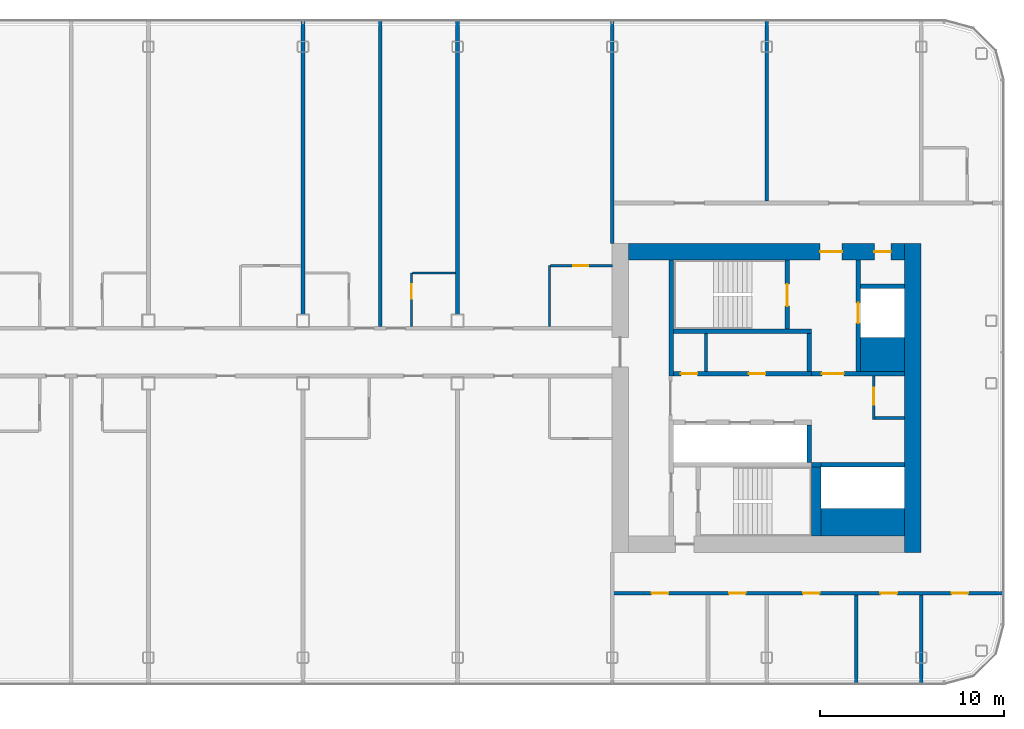
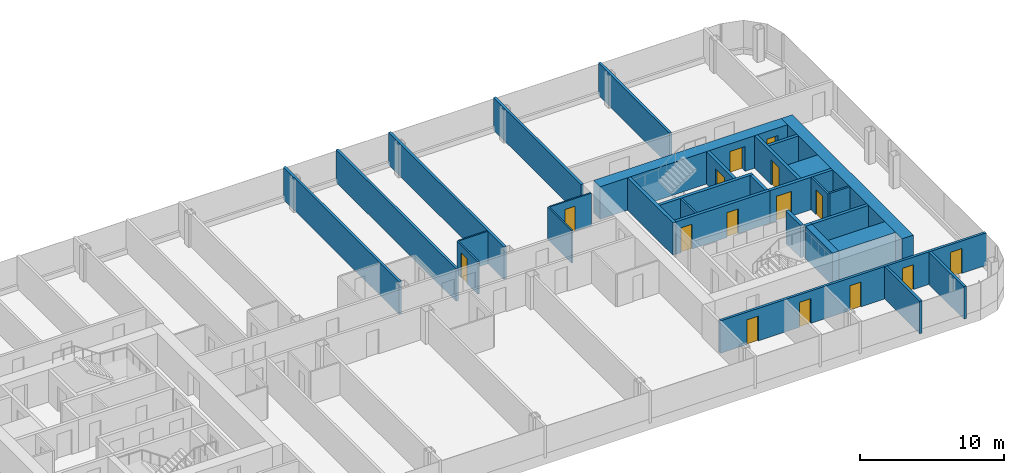
# One storey, part 16 of 26: 31 walls, 15 doors, 15 openings.
"""IFC4 building model written with IfcOpenShell, lengths in metres."""

import ifcopenshell
import ifcopenshell.guid

model = None  # the IFC model being written
_history = None  # IfcOwnerHistory: only IFC2X3 demands one
_inside = {}  # id of a spatial element -> (the spatial element, [elements in it])
_under = {}  # id of a project, library or spatial element -> (it, [spatial elements below it])
_declared = {}  # id of a project -> (the project, [libraries it declares])
_typed = {}  # id of a type object -> (the type object, [elements of that type])
_made_of = {}  # id of a material, layer set ... -> (it, [elements and type objects made of it])


def new_model(schema):
    """Start an empty IFC model of exactly this schema.

    Asked for "IFC4X3", IfcOpenShell would pick the latest addendum, in which some entities
    have other attributes; the version numbers below select the first issue.
    IFC2X3 requires an IfcOwnerHistory on every rooted entity: one is made here for all.
    """
    global model, _history
    if schema == "IFC4X3":
        model = ifcopenshell.file(schema_version=(4, 3, 0, 0))
    else:
        model = ifcopenshell.file(schema=schema)
    _inside.clear()
    _under.clear()
    _declared.clear()
    _typed.clear()
    _made_of.clear()
    _history = None
    if model.schema == "IFC2X3":
        org = make("IfcOrganization", Name="unknown")
        user = make(
            "IfcPersonAndOrganization",
            ThePerson=make("IfcPerson", FamilyName="unknown"),
            TheOrganization=org,
        )
        app = make(
            "IfcApplication",
            ApplicationDeveloper=org,
            Version="unknown",
            ApplicationFullName="unknown",
            ApplicationIdentifier="unknown",
        )
        _history = make(
            "IfcOwnerHistory",
            OwningUser=user,
            OwningApplication=app,
            ChangeAction="ADDED",
            CreationDate=0,
        )
    return model


def make(cls, **values):
    """One entity of the class cls with the attributes given. An attribute that is None is left unset."""
    return model.create_entity(
        cls, **{name: value for name, value in values.items() if value is not None}
    )


def rooted(cls, **values):
    """An entity with a GlobalId (a new one), such as an element, a storey or a relation."""
    return make(cls, GlobalId=ifcopenshell.guid.new(), OwnerHistory=_history, **values)


def si_unit(unit_type, name, prefix=None):
    """IfcSIUnit, for example si_unit("LENGTHUNIT", "METRE", prefix="MILLI")."""
    return make("IfcSIUnit", UnitType=unit_type, Prefix=prefix, Name=name)


def assignment(units):
    """IfcUnitAssignment: the units of a project."""
    return None if units is None else make("IfcUnitAssignment", Units=units)


def point(xyz):
    """IfcCartesianPoint."""
    return None if xyz is None else make("IfcCartesianPoint", Coordinates=xyz)


def direction(xyz):
    """IfcDirection."""
    return None if xyz is None else make("IfcDirection", DirectionRatios=xyz)


def frame(location, z_axis=None, x_axis=None):
    """IfcAxis2Placement3D, a coordinate frame: its origin and axes. An axis left out is left unset."""
    return make(
        "IfcAxis2Placement3D",
        Location=point(location),
        Axis=direction(z_axis),
        RefDirection=direction(x_axis),
    )


def frame_2d(location, x_axis=None):
    """IfcAxis2Placement2D, a coordinate frame in the plane: its origin and x axis."""
    return make(
        "IfcAxis2Placement2D", Location=point(location), RefDirection=direction(x_axis)
    )


def origin():
    """The frame at (0, 0, 0) with its axes left unset."""
    return frame((0.0, 0.0, 0.0))


def place(relative_to, where):
    """IfcLocalPlacement: puts the frame where relative to a parent placement (None: the world)."""
    return make(
        "IfcLocalPlacement", PlacementRelTo=relative_to, RelativePlacement=where
    )


def context(
    kind, dimensions, precision=None, world=None, true_north=None, identifier=None
):
    """IfcGeometricRepresentationContext, for example the 3D "Model" context."""
    return make(
        "IfcGeometricRepresentationContext",
        ContextIdentifier=identifier,
        ContextType=kind,
        CoordinateSpaceDimension=dimensions,
        Precision=precision,
        WorldCoordinateSystem=world,
        TrueNorth=true_north,
    )


def subcontext(parent, identifier, kind, view, scale=None):
    """IfcGeometricRepresentationSubContext, for example "Body" below "Model"."""
    return make(
        "IfcGeometricRepresentationSubContext",
        ContextIdentifier=identifier,
        ContextType=kind,
        ParentContext=parent,
        TargetScale=scale,
        TargetView=view,
    )


def project(units=None, contexts=None):
    """IfcProject with its units and contexts."""
    return rooted(
        "IfcProject",
        Name="project",
        RepresentationContexts=contexts,
        UnitsInContext=assignment(units),
    )


def spatial(cls, under=None, at=None, **own):
    """A site, building, storey or space (cls), placed at a placement, below another one or the project."""
    s = rooted(cls, ObjectPlacement=at, **own)
    if under is not None:
        _under.setdefault(under.id(), (under, []))[1].append(s)
    return s


def profile(cls, at=None, kind="AREA", **sizes):
    """A parametric profile (cls). Its sizes go by their IFC names, for example OverallWidth=200.0."""
    return make(cls, ProfileType=kind, Position=at, **sizes)


def rectangle(**sizes):
    """IfcRectangleProfileDef."""
    return profile("IfcRectangleProfileDef", **sizes)


def extrude(swept, where, along, depth):
    """IfcExtrudedAreaSolid: the profile swept, set in the frame where, extruded along a direction by depth."""
    return make(
        "IfcExtrudedAreaSolid",
        SweptArea=swept,
        Position=where,
        ExtrudedDirection=direction(along),
        Depth=depth,
    )


def shape(context_of_items, identifier, shape_type, items):
    """IfcShapeRepresentation: the items that make up one representation, for example the "Body"."""
    return make(
        "IfcShapeRepresentation",
        ContextOfItems=context_of_items,
        RepresentationIdentifier=identifier,
        RepresentationType=shape_type,
        Items=items,
    )


def material(Name=None, Category=None):
    """IfcMaterial."""
    return make("IfcMaterial", Name=Name, Category=Category)


def layer(
    of_material, thickness, ventilated=None, Name=None, Category=None, Priority=None
):
    """IfcMaterialLayer: one layer of a wall or slab, of a material (None: an air gap)."""
    return make(
        "IfcMaterialLayer",
        Material=of_material,
        LayerThickness=thickness,
        IsVentilated=ventilated,
        Name=Name,
        Category=Category,
        Priority=Priority,
    )


def layer_set(layers, Name=None):
    """IfcMaterialLayerSet."""
    return make("IfcMaterialLayerSet", MaterialLayers=layers, LayerSetName=Name)


def made_of(thing, what):
    """Note that an element or type object is made of a material, layer set ...; save() writes the relation."""
    if what is not None:
        _made_of.setdefault(what.id(), (what, []))[1].append(thing)
    return thing


def type_object(cls, material=None, **own):
    """A type object (cls), such as IfcWallType, which elements share."""
    return made_of(rooted(cls, **own), material)


def element(
    cls,
    number,
    at=None,
    inside=None,
    cuts=None,
    type_object=None,
    material=None,
    context=None,
    identifier="Body",
    shape_type=None,
    held_by="IfcProductDefinitionShape",
    body=None,
    shapes=None,
    **own,
):
    """One element of the class cls, such as IfcWall. Its Tag is "e" and its number.

    at: its placement. inside: the storey or other place that contains it. cuts: it is an
    opening in that element (IfcRelVoidsElement). A single representation is given by context,
    identifier, shape_type and body (its items); several are given by shapes. held_by: the class
    of the entity that holds the representations. save() writes the other relations.
    """
    e = rooted(cls, Tag="e%d" % number, ObjectPlacement=at, **own)
    if body is not None:
        shapes = [shape(context, identifier, shape_type, body)]
    if shapes is not None:
        e.Representation = make(held_by, Representations=shapes)
    if inside is not None:
        _inside.setdefault(inside.id(), (inside, []))[1].append(e)
    if cuts is not None:
        rooted(
            "IfcRelVoidsElement", RelatingBuildingElement=cuts, RelatedOpeningElement=e
        )
    if type_object is not None:
        _typed.setdefault(type_object.id(), (type_object, []))[1].append(e)
    return made_of(e, material)


def fill(opening, filler):
    """IfcRelFillsElement: the door or window that sits in an opening."""
    return rooted(
        "IfcRelFillsElement",
        RelatingOpeningElement=opening,
        RelatedBuildingElement=filler,
    )


def aggregate(whole, parts):
    """IfcRelAggregates: a whole, such as a stair, and the parts it consists of."""
    return rooted("IfcRelAggregates", RelatingObject=whole, RelatedObjects=parts)


def save(model, path):
    """Write the relations noted so far, then the file.

    IfcRelAggregates (storeys below a building ...), IfcRelContainedInSpatialStructure (elements
    in a storey), IfcRelDefinesByType, IfcRelAssociatesMaterial and IfcRelDeclares: one each for
    every whole, place, type object, material and project.
    """
    for whole, parts in _under.values():
        aggregate(whole, parts)
    for where, things in _inside.values():
        rooted(
            "IfcRelContainedInSpatialStructure",
            RelatedElements=things,
            RelatingStructure=where,
        )
    for kind, things in _typed.values():
        rooted("IfcRelDefinesByType", RelatedObjects=things, RelatingType=kind)
    for what, things in _made_of.values():
        rooted("IfcRelAssociatesMaterial", RelatedObjects=things, RelatingMaterial=what)
    for by, libraries in _declared.values():
        rooted("IfcRelDeclares", RelatingContext=by, RelatedDefinitions=libraries)
    model.write(path)


model = new_model("IFC4")

# Units and contexts
model_context = context("Model", 3, precision=1e-05, world=origin(), true_north=direction((0.0, 1.0)))
body_context = subcontext(model_context, "Body", "Model", "MODEL_VIEW")
ifc_project = project(units=[si_unit("LENGTHUNIT", "METRE"), si_unit("AREAUNIT", "SQUARE_METRE"), si_unit("VOLUMEUNIT", "CUBIC_METRE"), si_unit("PLANEANGLEUNIT", "RADIAN"), si_unit("MASSUNIT", "GRAM", prefix="KILO")], contexts=[model_context])

# Site, building, storey
site_placement = place(None, origin())
site = spatial("IfcSite", under=ifc_project, at=site_placement, CompositionType="ELEMENT")
building_placement = place(site_placement, origin())
building = spatial("IfcBuilding", under=site, at=building_placement, Name="Hakoniwa Tower and Hamabe Station Hall", CompositionType="ELEMENT")
storey_placement = place(building_placement, frame((0.0, 0.0, 212.199951171875)))
storey = spatial("IfcBuildingStorey", under=building, at=storey_placement, Name="L60", CompositionType="ELEMENT", Elevation=212.199951171875)

# Wall
ifc_material_1 = material(Name="Gypsum board partition", Category="gypsum")
ifc_layer_1 = layer(ifc_material_1, 0.125)
ifc_layer_set_1 = layer_set([ifc_layer_1], Name="Bathroom Partition 125")
wall_type_1 = type_object("IfcWallType", Name="Bathroom Partition 125", PredefinedType="PARTITIONING", material=ifc_layer_set_1)
wall_1_placement = place(storey_placement, frame((5.96240234375, 6.800048828125, 0.0), z_axis=(0.0, 0.0, 1.0), x_axis=(1.0, 0.0, 0.0)))
element("IfcWall", 1, at=wall_1_placement, inside=storey, type_object=wall_type_1, Name="GW-L60-012", PredefinedType="PARTITIONING", context=body_context, shape_type="SweptSolid", body=[
    extrude(rectangle(XDim=2.337646484375, YDim=0.125, at=frame_2d((1.1689453125, 0.0))), origin(), (0.0, 0.0, 1.0), 2.75),
])

# Wall, opening, door
wall_2_placement = place(storey_placement, frame((13.46240234375, 7.199951171875, 0.0), z_axis=(0.0, 0.0, 1.0), x_axis=(1.0, 0.0, 0.0)))
wall_2 = element("IfcWall", 2, at=wall_2_placement, inside=storey, type_object=wall_type_1, Name="GW-L60-014", PredefinedType="PARTITIONING", context=body_context, shape_type="SweptSolid", body=[
    extrude(rectangle(XDim=3.34765625, YDim=0.125, at=frame_2d((1.673828125, 0.0))), origin(), (0.0, 0.0, 1.0), 2.75),
])
opening_1_placement = place(wall_2_placement, frame((1.237548828125, 0.0, 0.0)))
opening_1 = element("IfcOpeningElement", 3, at=opening_1_placement, cuts=wall_2, Name="Opening GD-G4D1-23", PredefinedType="OPENING", context=body_context, shape_type="SweptSolid", body=[
    extrude(rectangle(XDim=0.800048828125, YDim=2.10009765625, at=frame_2d((0.39990234375, 1.050048828125))), frame((0.0, 0.072509765625, 0.0), z_axis=(0.0, -1.0, 0.0), x_axis=(1.0, 0.0, 0.0)), (0.0, 0.0, 1.0), 0.14501953125),
])
ifc_material_2 = material(Name="Timber door leaf", Category="wood")
door_type_1 = type_object("IfcDoorType", Name="Bathroom Door 800", OperationType="SINGLE_SWING_LEFT", PredefinedType="DOOR", material=ifc_material_2)
door_1_placement = place(opening_1_placement, origin())
door_1 = element("IfcDoor", 4, at=door_1_placement, inside=storey, type_object=door_type_1, Name="Door GD-G4D1-23", OperationType="SINGLE_SWING_LEFT", OverallHeight=2.10009765625, OverallWidth=0.800048828125, PredefinedType="DOOR", context=body_context, shape_type="SweptSolid", body=[
    extrude(rectangle(XDim=0.800048828125, YDim=2.10009765625, at=frame_2d((0.39990234375, 1.050048828125))), frame((0.0, 0.02490234375, 0.0), z_axis=(0.0, -1.0, 0.0), x_axis=(1.0, 0.0, 0.0)), (0.0, 0.0, 1.0), 0.050048828125),
])
fill(opening_1, door_1)

wall_3_placement = place(storey_placement, frame((5.89990234375, 3.89990234375, 0.0), z_axis=(0.0, 0.0, 1.0), x_axis=(0.0, 1.0, 0.0)))
wall_3 = element("IfcWall", 5, at=wall_3_placement, inside=storey, type_object=wall_type_1, Name="GW-L60-041", PredefinedType="PARTITIONING", context=body_context, shape_type="SweptSolid", body=[
    extrude(rectangle(XDim=2.900146484375, YDim=0.125, at=frame_2d((1.4501953125, 0.0))), origin(), (0.0, 0.0, 1.0), 2.75),
])
opening_2_placement = place(wall_3_placement, frame((1.5, 0.0, 0.0)))
opening_2 = element("IfcOpeningElement", 6, at=opening_2_placement, cuts=wall_3, Name="Opening GD-G4D1-38", PredefinedType="OPENING", context=body_context, shape_type="SweptSolid", body=[
    extrude(rectangle(XDim=0.800048828125, YDim=2.10009765625, at=frame_2d((0.39990234375, 1.050048828125))), frame((0.0, 0.072509765625, 0.0), z_axis=(0.0, -1.0, 0.0), x_axis=(1.0, 0.0, 0.0)), (0.0, 0.0, 1.0), 0.14501953125),
])
door_2_placement = place(opening_2_placement, origin())
door_2 = element("IfcDoor", 7, at=door_2_placement, inside=storey, type_object=door_type_1, Name="Door GD-G4D1-38", OperationType="SINGLE_SWING_RIGHT", OverallHeight=2.10009765625, OverallWidth=0.800048828125, PredefinedType="DOOR", context=body_context, shape_type="SweptSolid", body=[
    extrude(rectangle(XDim=0.800048828125, YDim=2.10009765625, at=frame_2d((0.39990234375, 1.050048828125))), frame((0.0, 0.02490234375, 0.0), z_axis=(0.0, -1.0, 0.0), x_axis=(1.0, 0.0, 0.0)), (0.0, 0.0, 1.0), 0.050048828125),
])
fill(opening_2, door_2)

# Wall
wall_4_placement = place(storey_placement, frame((13.39990234375, 3.89990234375, 0.0), z_axis=(0.0, 0.0, 1.0), x_axis=(0.0, 1.0, 0.0)))
element("IfcWall", 8, at=wall_4_placement, inside=storey, type_object=wall_type_1, Name="GW-L60-045", PredefinedType="PARTITIONING", context=body_context, shape_type="SweptSolid", body=[
    extrude(rectangle(XDim=3.300048828125, YDim=0.125, at=frame_2d((1.64990234375, 0.0))), origin(), (0.0, 0.0, 1.0), 2.75),
])

# Wall, opening, door
ifc_material_3 = material(Name="Gypsum board partition")
ifc_layer_2 = layer(ifc_material_3, 0.14990234375)
ifc_layer_set_2 = layer_set([ifc_layer_2], Name="CORE PARTITION 150 EI 60")
wall_type_2 = type_object("IfcWallType", Name="CORE PARTITION 150 EI 60", PredefinedType="PARTITIONING", material=ifc_layer_set_2)
wall_5_placement = place(storey_placement, frame((31.02490234375, -1.14990234375, 0.0), z_axis=(0.0, 0.0, 1.0), x_axis=(0.0, 1.0, 0.0)))
wall_5 = element("IfcWall", 9, at=wall_5_placement, inside=storey, type_object=wall_type_2, Name="Core partition PW0 east", PredefinedType="PARTITIONING", context=body_context, shape_type="SweptSolid", body=[
    extrude(rectangle(XDim=2.349853515625, YDim=0.14990234375, at=frame_2d((1.1748046875, 0.0))), origin(), (0.0, 0.0, 1.0), 2.75),
])
opening_3_placement = place(wall_5_placement, frame((0.800048828125, 0.0, 0.0)))
opening_3 = element("IfcOpeningElement", 10, at=opening_3_placement, cuts=wall_5, Name="Opening CD-E-RM1-9", PredefinedType="OPENING", context=body_context, shape_type="SweptSolid", body=[
    extrude(rectangle(XDim=0.89990234375, YDim=2.10009765625, at=frame_2d((0.449951171875, 1.050048828125))), frame((0.0, 0.0849609375, 0.0), z_axis=(0.0, -1.0, 0.0), x_axis=(1.0, 0.0, 0.0)), (0.0, 0.0, 1.0), 0.169921875),
])
ifc_material_4 = material(Name="Steel fire door", Category="steel")
door_type_2 = type_object("IfcDoorType", Name="CORE DOOR 900 FD30", OperationType="NOTDEFINED", PredefinedType="DOOR", material=ifc_material_4)
door_3_placement = place(opening_3_placement, origin())
door_3 = element("IfcDoor", 11, at=door_3_placement, inside=storey, type_object=door_type_2, Name="Store room door", OperationType="SINGLE_SWING_RIGHT", OverallHeight=2.10009765625, OverallWidth=0.89990234375, PredefinedType="DOOR", context=body_context, shape_type="SweptSolid", body=[
    extrude(rectangle(XDim=0.89990234375, YDim=2.10009765625, at=frame_2d((0.449951171875, 1.050048828125))), frame((0.0, 0.02490234375, 0.0), z_axis=(0.0, -1.0, 0.0), x_axis=(1.0, 0.0, 0.0)), (0.0, 0.0, 1.0), 0.050048828125),
])
fill(opening_3, door_3)

# Walls
wall_6_placement = place(storey_placement, frame((31.10009765625, -1.074951171875, 0.0), z_axis=(0.0, 0.0, 1.0), x_axis=(1.0, 0.0, 0.0)))
element("IfcWall", 12, at=wall_6_placement, inside=storey, type_object=wall_type_2, Name="Core partition PS east", PredefinedType="PARTITIONING", context=body_context, shape_type="SweptSolid", body=[
    extrude(rectangle(XDim=1.599853515625, YDim=0.14990234375, at=frame_2d((0.7998046875, 0.0))), origin(), (0.0, 0.0, 1.0), 2.75),
])
wall_7_placement = place(storey_placement, frame((21.89990234375, 1.449951171875, 0.0), z_axis=(0.0, 0.0, 1.0), x_axis=(0.0, 1.0, 0.0)))
element("IfcWall", 13, at=wall_7_placement, inside=storey, type_object=wall_type_2, Name="Core partition PFLR0 east", PredefinedType="PARTITIONING", context=body_context, shape_type="SweptSolid", body=[
    extrude(rectangle(XDim=2.050048828125, YDim=0.14990234375, at=frame_2d((1.02490234375, 0.0))), origin(), (0.0, 0.0, 1.0), 2.75),
])
ifc_material_5 = material(Name="Concrete C60", Category="concrete")
ifc_layer_3 = layer(ifc_material_5, 0.89990234375)
ifc_layer_set_3 = layer_set([ifc_layer_3], Name="CORE WALL 900 C60")
wall_type_3 = type_object("IfcWallType", Name="CORE WALL 900 C60", PredefinedType="SHEAR", material=ifc_layer_set_3)
wall_8_placement = place(storey_placement, frame((33.14990234375, -8.39990234375, 0.0), z_axis=(0.0, 0.0, 1.0), x_axis=(0.0, 1.0, 0.0)))
element("IfcWall", 14, at=wall_8_placement, inside=storey, type_object=wall_type_3, Name="Core wall OUTER east", PredefinedType="SHEAR", context=body_context, shape_type="SweptSolid", body=[
    extrude(rectangle(XDim=16.7998046875, YDim=0.89990234375, at=frame_2d((8.39990234375, 0.0))), origin(), (0.0, 0.0, 1.0), 2.75),
])

# Wall, openings, doors
wall_9_placement = place(storey_placement, frame((17.699951171875, 7.949951171875, 0.0), z_axis=(0.0, 0.0, 1.0), x_axis=(1.0, 0.0, 0.0)))
wall_9 = element("IfcWall", 15, at=wall_9_placement, inside=storey, type_object=wall_type_3, Name="Core wall NORTH east", PredefinedType="SHEAR", context=body_context, shape_type="SweptSolid", body=[
    extrude(rectangle(XDim=15.0, YDim=0.89990234375, at=frame_2d((7.5, 0.0))), origin(), (0.0, 0.0, 1.0), 2.75),
])
opening_4_placement = place(wall_9_placement, frame((10.39990234375, 0.0, 0.0)))
opening_4 = element("IfcOpeningElement", 16, at=opening_4_placement, cuts=wall_9, Name="Opening CD-E-FN1-12", PredefinedType="OPENING", context=body_context, shape_type="SweptSolid", body=[
    extrude(rectangle(XDim=1.199951171875, YDim=2.10009765625, at=frame_2d((0.60009765625, 1.050048828125))), frame((0.0, 0.4599609375, 0.0), z_axis=(0.0, -1.0, 0.0), x_axis=(1.0, 0.0, 0.0)), (0.0, 0.0, 1.0), 0.919921875),
])
opening_5_placement = place(wall_9_placement, frame((13.35009765625, 0.0, 0.0)))
opening_5 = element("IfcOpeningElement", 17, at=opening_5_placement, cuts=wall_9, Name="Opening CD-E-FN2-9", PredefinedType="OPENING", context=body_context, shape_type="SweptSolid", body=[
    extrude(rectangle(XDim=0.89990234375, YDim=2.10009765625, at=frame_2d((0.449951171875, 1.050048828125))), frame((0.0, 0.4599609375, 0.0), z_axis=(0.0, -1.0, 0.0), x_axis=(1.0, 0.0, 0.0)), (0.0, 0.0, 1.0), 0.919921875),
])
ifc_material_6 = material(Name="Steel fire door", Category="steel")
door_type_3 = type_object("IfcDoorType", Name="CORE DOOR 1200 FD60", OperationType="DOUBLE_DOOR_SINGLE_SWING", PredefinedType="DOOR", material=ifc_material_6)
door_4_placement = place(opening_4_placement, origin())
door_4 = element("IfcDoor", 18, at=door_4_placement, inside=storey, type_object=door_type_3, Name="Stair vestibule door to the fire-fighting lobby", OperationType="DOUBLE_DOOR_SINGLE_SWING", OverallHeight=2.10009765625, OverallWidth=1.199951171875, PredefinedType="DOOR", context=body_context, shape_type="SweptSolid", body=[
    extrude(rectangle(XDim=1.199951171875, YDim=2.10009765625, at=frame_2d((0.60009765625, 1.050048828125))), frame((0.0, 0.02490234375, 0.0), z_axis=(0.0, -1.0, 0.0), x_axis=(1.0, 0.0, 0.0)), (0.0, 0.0, 1.0), 0.050048828125),
])
fill(opening_4, door_4)
door_5_placement = place(opening_5_placement, origin())
door_5 = element("IfcDoor", 19, at=door_5_placement, inside=storey, type_object=door_type_2, Name="Riser access door", OperationType="SINGLE_SWING_LEFT", OverallHeight=2.10009765625, OverallWidth=0.89990234375, PredefinedType="DOOR", context=body_context, shape_type="SweptSolid", body=[
    extrude(rectangle(XDim=0.89990234375, YDim=2.10009765625, at=frame_2d((0.449951171875, 1.050048828125))), frame((0.0, 0.02490234375, 0.0), z_axis=(0.0, -1.0, 0.0), x_axis=(1.0, 0.0, 0.0)), (0.0, 0.0, 1.0), 0.050048828125),
])
fill(opening_5, door_5)

# Walls
ifc_material_7 = material(Name="Concrete C60", Category="concrete")
ifc_layer_4 = layer(ifc_material_7, 1.5)
ifc_layer_set_4 = layer_set([ifc_layer_4], Name="CORE WEB WALL 1500 C60")
wall_type_4 = type_object("IfcWallType", Name="CORE WEB WALL 1500 C60", PredefinedType="SHEAR", material=ifc_layer_set_4)
wall_10_placement = place(storey_placement, frame((28.14990234375, -6.75, 0.0), z_axis=(0.0, 0.0, 1.0), x_axis=(1.0, 0.0, 0.0)))
element("IfcWall", 20, at=wall_10_placement, inside=storey, type_object=wall_type_4, Name="Core wall SER east", PredefinedType="SHEAR", context=body_context, shape_type="SweptSolid", body=[
    extrude(rectangle(XDim=4.550048828125, YDim=1.5, at=frame_2d((2.27490234375, 0.0))), origin(), (0.0, 0.0, 1.0), 2.75),
])
ifc_material_8 = material(Name="Concrete C60", Category="concrete")
ifc_layer_5 = layer(ifc_material_8, 1.85009765625)
ifc_layer_set_5 = layer_set([ifc_layer_5], Name="CORE WEB WALL 1850 C60")
wall_type_5 = type_object("IfcWallType", Name="CORE WEB WALL 1850 C60", PredefinedType="SHEAR", material=ifc_layer_set_5)
wall_11_placement = place(storey_placement, frame((30.300048828125, 2.375, 0.0), z_axis=(0.0, 0.0, 1.0), x_axis=(1.0, 0.0, 0.0)))
element("IfcWall", 21, at=wall_11_placement, inside=storey, type_object=wall_type_5, Name="Core wall CA east", PredefinedType="SHEAR", context=body_context, shape_type="SweptSolid", body=[
    extrude(rectangle(XDim=2.39990234375, YDim=1.85009765625, at=frame_2d((1.199951171875, 0.0))), origin(), (0.0, 0.0, 1.0), 2.75),
])
ifc_material_9 = material(Name="Concrete C60", Category="concrete")
ifc_layer_6 = layer(ifc_material_9, 0.25)
ifc_layer_set_6 = layer_set([ifc_layer_6], Name="CORE WEB WALL 250 C60")
wall_type_6 = type_object("IfcWallType", Name="CORE WEB WALL 250 C60", PredefinedType="SHEAR", material=ifc_layer_set_6)
wall_12_placement = place(storey_placement, frame((20.02490234375, 1.199951171875, 0.0), z_axis=(0.0, 0.0, 1.0), x_axis=(0.0, 1.0, 0.0)))
element("IfcWall", 22, at=wall_12_placement, inside=storey, type_object=wall_type_6, Name="Core wall W1N east", PredefinedType="SHEAR", context=body_context, shape_type="SweptSolid", body=[
    extrude(rectangle(XDim=6.300048828125, YDim=0.25, at=frame_2d((3.14990234375, 0.0))), origin(), (0.0, 0.0, 1.0), 2.75),
])

# Wall, openings, doors
wall_13_placement = place(storey_placement, frame((20.14990234375, 1.324951171875, 0.0), z_axis=(0.0, 0.0, 1.0), x_axis=(1.0, 0.0, 0.0)))
wall_13 = element("IfcWall", 23, at=wall_13_placement, inside=storey, type_object=wall_type_6, Name="Core wall NF east", PredefinedType="SHEAR", context=body_context, shape_type="SweptSolid", body=[
    extrude(rectangle(XDim=7.5, YDim=0.25, at=frame_2d((3.75, 0.0))), origin(), (0.0, 0.0, 1.0), 2.75),
])
opening_6_placement = place(wall_13_placement, frame((0.387451171875, 0.0, 0.0)))
opening_6 = element("IfcOpeningElement", 24, at=opening_6_placement, cuts=wall_13, Name="Opening CD-E-FRLR0-9", PredefinedType="OPENING", context=body_context, shape_type="SweptSolid", body=[
    extrude(rectangle(XDim=0.89990234375, YDim=2.10009765625, at=frame_2d((0.449951171875, 1.050048828125))), frame((0.0, 0.135009765625, 0.0), z_axis=(0.0, -1.0, 0.0), x_axis=(1.0, 0.0, 0.0)), (0.0, 0.0, 1.0), 0.27001953125),
])
opening_7_placement = place(wall_13_placement, frame((4.08740234375, 0.0, 0.0)))
opening_7 = element("IfcOpeningElement", 25, at=opening_7_placement, cuts=wall_13, Name="Opening CD-E-FRLR1-9", PredefinedType="OPENING", context=body_context, shape_type="SweptSolid", body=[
    extrude(rectangle(XDim=0.89990234375, YDim=2.10009765625, at=frame_2d((0.449951171875, 1.050048828125))), frame((0.0, 0.135009765625, 0.0), z_axis=(0.0, -1.0, 0.0), x_axis=(1.0, 0.0, 0.0)), (0.0, 0.0, 1.0), 0.27001953125),
])
door_6_placement = place(opening_6_placement, origin())
door_6 = element("IfcDoor", 26, at=door_6_placement, inside=storey, type_object=door_type_2, Name="Store room door", OperationType="SINGLE_SWING_RIGHT", OverallHeight=2.10009765625, OverallWidth=0.89990234375, PredefinedType="DOOR", context=body_context, shape_type="SweptSolid", body=[
    extrude(rectangle(XDim=0.89990234375, YDim=2.10009765625, at=frame_2d((0.449951171875, 1.050048828125))), frame((0.0, 0.02490234375, 0.0), z_axis=(0.0, -1.0, 0.0), x_axis=(1.0, 0.0, 0.0)), (0.0, 0.0, 1.0), 0.050048828125),
])
fill(opening_6, door_6)
door_7_placement = place(opening_7_placement, origin())
door_7 = element("IfcDoor", 27, at=door_7_placement, inside=storey, type_object=door_type_2, Name="Store room door", OperationType="SINGLE_SWING_LEFT", OverallHeight=2.10009765625, OverallWidth=0.89990234375, PredefinedType="DOOR", context=body_context, shape_type="SweptSolid", body=[
    extrude(rectangle(XDim=0.89990234375, YDim=2.10009765625, at=frame_2d((0.449951171875, 1.050048828125))), frame((0.0, 0.02490234375, 0.0), z_axis=(0.0, -1.0, 0.0), x_axis=(1.0, 0.0, 0.0)), (0.0, 0.0, 1.0), 0.050048828125),
])
fill(opening_7, door_7)

# Walls
wall_14_placement = place(storey_placement, frame((27.52490234375, 1.449951171875, 0.0), z_axis=(0.0, 0.0, 1.0), x_axis=(0.0, 1.0, 0.0)))
element("IfcWall", 28, at=wall_14_placement, inside=storey, type_object=wall_type_6, Name="Core wall NE east", PredefinedType="SHEAR", context=body_context, shape_type="SweptSolid", body=[
    extrude(rectangle(XDim=2.050048828125, YDim=0.25, at=frame_2d((1.02490234375, 0.0))), origin(), (0.0, 0.0, 1.0), 2.75),
])
wall_15_placement = place(storey_placement, frame((20.14990234375, 3.625, 0.0), z_axis=(0.0, 0.0, 1.0), x_axis=(1.0, 0.0, 0.0)))
element("IfcWall", 29, at=wall_15_placement, inside=storey, type_object=wall_type_6, Name="Core wall NR east", PredefinedType="SHEAR", context=body_context, shape_type="SweptSolid", body=[
    extrude(rectangle(XDim=7.5, YDim=0.25, at=frame_2d((3.75, 0.0))), origin(), (0.0, 0.0, 1.0), 2.75),
])

# Wall, opening, door
wall_16_placement = place(storey_placement, frame((26.324951171875, 3.75, 0.0), z_axis=(0.0, 0.0, 1.0), x_axis=(0.0, 1.0, 0.0)))
wall_16 = element("IfcWall", 30, at=wall_16_placement, inside=storey, type_object=wall_type_6, Name="Core wall NSE east", PredefinedType="SHEAR", context=body_context, shape_type="SweptSolid", body=[
    extrude(rectangle(XDim=3.75, YDim=0.25, at=frame_2d((1.875, 0.0))), origin(), (0.0, 0.0, 1.0), 2.75),
])
opening_8_placement = place(wall_16_placement, frame((1.25, 0.0, 0.0)))
opening_8 = element("IfcOpeningElement", 31, at=opening_8_placement, cuts=wall_16, Name="Opening CD-E-SN-12", PredefinedType="OPENING", context=body_context, shape_type="SweptSolid", body=[
    extrude(rectangle(XDim=1.199951171875, YDim=2.10009765625, at=frame_2d((0.60009765625, 1.050048828125))), frame((0.0, 0.135009765625, 0.0), z_axis=(0.0, -1.0, 0.0), x_axis=(1.0, 0.0, 0.0)), (0.0, 0.0, 1.0), 0.27001953125),
])
door_8_placement = place(opening_8_placement, origin())
door_8 = element("IfcDoor", 32, at=door_8_placement, inside=storey, type_object=door_type_3, Name="Escape stair door", OperationType="DOUBLE_DOOR_SINGLE_SWING", OverallHeight=2.10009765625, OverallWidth=1.199951171875, PredefinedType="DOOR", context=body_context, shape_type="SweptSolid", body=[
    extrude(rectangle(XDim=1.199951171875, YDim=2.10009765625, at=frame_2d((0.60009765625, 1.050048828125))), frame((0.0, 0.02490234375, 0.0), z_axis=(0.0, -1.0, 0.0), x_axis=(1.0, 0.0, 0.0)), (0.0, 0.0, 1.0), 0.050048828125),
])
fill(opening_8, door_8)

wall_17_placement = place(storey_placement, frame((27.64990234375, 1.324951171875, 0.0), z_axis=(0.0, 0.0, 1.0), x_axis=(1.0, 0.0, 0.0)))
wall_17 = element("IfcWall", 33, at=wall_17_placement, inside=storey, type_object=wall_type_6, Name="Core wall ELN east", PredefinedType="SHEAR", context=body_context, shape_type="SweptSolid", body=[
    extrude(rectangle(XDim=5.050048828125, YDim=0.25, at=frame_2d((2.52490234375, 0.0))), origin(), (0.0, 0.0, 1.0), 2.75),
])
opening_9_placement = place(wall_17_placement, frame((0.550048828125, 0.0, 0.0)))
opening_9 = element("IfcOpeningElement", 34, at=opening_9_placement, cuts=wall_17, Name="Opening CD-E-FL-12", PredefinedType="OPENING", context=body_context, shape_type="SweptSolid", body=[
    extrude(rectangle(XDim=1.199951171875, YDim=2.10009765625, at=frame_2d((0.60009765625, 1.050048828125))), frame((0.0, 0.135009765625, 0.0), z_axis=(0.0, -1.0, 0.0), x_axis=(1.0, 0.0, 0.0)), (0.0, 0.0, 1.0), 0.27001953125),
])
door_9_placement = place(opening_9_placement, origin())
door_9 = element("IfcDoor", 35, at=door_9_placement, inside=storey, type_object=door_type_3, Name="Stair vestibule door to the fire-fighting lobby", OperationType="DOUBLE_DOOR_SINGLE_SWING", OverallHeight=2.10009765625, OverallWidth=1.199951171875, PredefinedType="DOOR", context=body_context, shape_type="SweptSolid", body=[
    extrude(rectangle(XDim=1.199951171875, YDim=2.10009765625, at=frame_2d((0.60009765625, 1.050048828125))), frame((0.0, 0.02490234375, 0.0), z_axis=(0.0, -1.0, 0.0), x_axis=(1.0, 0.0, 0.0)), (0.0, 0.0, 1.0), 0.050048828125),
])
fill(opening_9, door_9)

wall_18_placement = place(storey_placement, frame((30.175048828125, 1.449951171875, 0.0), z_axis=(0.0, 0.0, 1.0), x_axis=(0.0, 1.0, 0.0)))
wall_18 = element("IfcWall", 36, at=wall_18_placement, inside=storey, type_object=wall_type_6, Name="Core wall FFF east", PredefinedType="SHEAR", context=body_context, shape_type="SweptSolid", body=[
    extrude(rectangle(XDim=6.050048828125, YDim=0.25, at=frame_2d((3.02490234375, 0.0))), origin(), (0.0, 0.0, 1.0), 2.75),
])
opening_10_placement = place(wall_18_placement, frame((2.625, 0.0, 0.0)))
opening_10 = element("IfcOpeningElement", 37, at=opening_10_placement, cuts=wall_18, Name="Opening LD-FF2", PredefinedType="OPENING", context=body_context, shape_type="SweptSolid", body=[
    extrude(rectangle(XDim=1.10009765625, YDim=2.10009765625, at=frame_2d((0.550048828125, 1.050048828125))), frame((0.0, 0.135009765625, 0.0), z_axis=(0.0, -1.0, 0.0), x_axis=(1.0, 0.0, 0.0)), (0.0, 0.0, 1.0), 0.27001953125),
])
ifc_material_10 = material(Name="Stainless steel SUS304", Category="steel")
door_type_4 = type_object("IfcDoorType", Name="LIFT LANDING DOOR 1100 FD60", OperationType="DOUBLE_DOOR_SLIDING", PredefinedType="DOOR", material=ifc_material_10)
door_10_placement = place(opening_10_placement, origin())
door_10 = element("IfcDoor", 38, at=door_10_placement, inside=storey, type_object=door_type_4, Name="Lift landing door FF2 L60", OperationType="DOUBLE_DOOR_SLIDING", OverallHeight=2.10009765625, OverallWidth=1.10009765625, PredefinedType="DOOR", context=body_context, shape_type="SweptSolid", body=[
    extrude(rectangle(XDim=1.10009765625, YDim=2.10009765625, at=frame_2d((0.550048828125, 1.050048828125))), frame((0.0, 0.02490234375, 0.0), z_axis=(0.0, -1.0, 0.0), x_axis=(1.0, 0.0, 0.0)), (0.0, 0.0, 1.0), 0.050048828125),
])
fill(opening_10, door_10)

# Walls
wall_19_placement = place(storey_placement, frame((30.300048828125, 6.074951171875, 0.0), z_axis=(0.0, 0.0, 1.0), x_axis=(1.0, 0.0, 0.0)))
element("IfcWall", 39, at=wall_19_placement, inside=storey, type_object=wall_type_6, Name="Core wall C2 east", PredefinedType="SHEAR", context=body_context, shape_type="SweptSolid", body=[
    extrude(rectangle(XDim=2.39990234375, YDim=0.25, at=frame_2d((1.199951171875, 0.0))), origin(), (0.0, 0.0, 1.0), 2.75),
])
wall_20_placement = place(storey_placement, frame((27.52490234375, -3.5, 0.0), z_axis=(0.0, 0.0, 1.0), x_axis=(0.0, 1.0, 0.0)))
element("IfcWall", 40, at=wall_20_placement, inside=storey, type_object=wall_type_6, Name="Core wall SE east", PredefinedType="SHEAR", context=body_context, shape_type="SweptSolid", body=[
    extrude(rectangle(XDim=2.050048828125, YDim=0.25, at=frame_2d((1.02490234375, 0.0))), origin(), (0.0, 0.0, 1.0), 2.75),
])
wall_21_placement = place(storey_placement, frame((28.14990234375, -3.625, 0.0), z_axis=(0.0, 0.0, 1.0), x_axis=(1.0, 0.0, 0.0)))
element("IfcWall", 41, at=wall_21_placement, inside=storey, type_object=wall_type_6, Name="Core wall SEF east", PredefinedType="SHEAR", context=body_context, shape_type="SweptSolid", body=[
    extrude(rectangle(XDim=4.550048828125, YDim=0.25, at=frame_2d((2.27490234375, 0.0))), origin(), (0.0, 0.0, 1.0), 2.75),
])
wall_22_placement = place(storey_placement, frame((27.64990234375, -3.625, 0.0), z_axis=(0.0, 0.0, 1.0), x_axis=(1.0, 0.0, 0.0)))
element("IfcWall", 42, at=wall_22_placement, inside=storey, type_object=wall_type_6, Name="Core wall SRK east", PredefinedType="SHEAR", context=body_context, shape_type="SweptSolid", body=[
    extrude(rectangle(XDim=0.5, YDim=0.25, at=frame_2d((0.25, 0.0))), origin(), (0.0, 0.0, 1.0), 2.75),
])
ifc_material_11 = material(Name="Concrete C60", Category="concrete")
ifc_layer_7 = layer(ifc_material_11, 0.5)
ifc_layer_set_7 = layer_set([ifc_layer_7], Name="CORE WEB WALL 500 C60")
wall_type_7 = type_object("IfcWallType", Name="CORE WEB WALL 500 C60", PredefinedType="SHEAR", material=ifc_layer_set_7)
wall_23_placement = place(storey_placement, frame((27.89990234375, -7.5, 0.0), z_axis=(0.0, 0.0, 1.0), x_axis=(0.0, 1.0, 0.0)))
element("IfcWall", 43, at=wall_23_placement, inside=storey, type_object=wall_type_7, Name="Core wall SSE east", PredefinedType="SHEAR", context=body_context, shape_type="SweptSolid", body=[
    extrude(rectangle(XDim=3.75, YDim=0.5, at=frame_2d((1.875, 0.0))), origin(), (0.0, 0.0, 1.0), 2.75),
])

# Wall, openings, doors
ifc_material_12 = material(Name="Fire-rated gypsum board partition", Category="gypsum")
ifc_layer_8 = layer(ifc_material_12, 0.199951171875)
ifc_layer_set_8 = layer_set([ifc_layer_8], Name="Corridor Wall 200")
wall_type_8 = type_object("IfcWallType", Name="Corridor Wall 200", PredefinedType="PARTITIONING", material=ifc_layer_set_8)
wall_24_placement = place(storey_placement, frame((16.800048828125, -10.60009765625, 0.0), z_axis=(0.0, 0.0, 1.0), x_axis=(1.0, 0.0, 0.0)))
wall_24 = element("IfcWall", 44, at=wall_24_placement, inside=storey, type_object=wall_type_8, Name="GW-L60-002", PredefinedType="PARTITIONING", context=body_context, shape_type="SweptSolid", body=[
    extrude(rectangle(XDim=21.300048828125, YDim=0.199951171875, at=frame_2d((10.64990234375, 0.0))), origin(), (0.0, 0.0, 1.0), 2.75),
])
opening_11_placement = place(wall_24_placement, frame((2.155029296875, 0.0, 0.0)))
opening_11 = element("IfcOpeningElement", 45, at=opening_11_placement, cuts=wall_24, Name="Opening GD-G4D1-05", PredefinedType="OPENING", context=body_context, shape_type="SweptSolid", body=[
    extrude(rectangle(XDim=0.89990234375, YDim=2.10009765625, at=frame_2d((0.449951171875, 1.050048828125))), frame((0.0, 0.10986328125, 0.0), z_axis=(0.0, -1.0, 0.0), x_axis=(1.0, 0.0, 0.0)), (0.0, 0.0, 1.0), 0.219970703125),
])
opening_12_placement = place(wall_24_placement, frame((6.35498046875, 0.0, 0.0)))
opening_12 = element("IfcOpeningElement", 46, at=opening_12_placement, cuts=wall_24, Name="Opening GD-G4D1-06", PredefinedType="OPENING", context=body_context, shape_type="SweptSolid", body=[
    extrude(rectangle(XDim=0.89990234375, YDim=2.10009765625, at=frame_2d((0.449951171875, 1.050048828125))), frame((0.0, 0.10986328125, 0.0), z_axis=(0.0, -1.0, 0.0), x_axis=(1.0, 0.0, 0.0)), (0.0, 0.0, 1.0), 0.219970703125),
])
opening_13_placement = place(wall_24_placement, frame((10.385009765625, 0.0, 0.0)))
opening_13 = element("IfcOpeningElement", 47, at=opening_13_placement, cuts=wall_24, Name="Opening GD-G4D1-07", PredefinedType="OPENING", context=body_context, shape_type="SweptSolid", body=[
    extrude(rectangle(XDim=0.89990234375, YDim=2.10009765625, at=frame_2d((0.449951171875, 1.050048828125))), frame((0.0, 0.10986328125, 0.0), z_axis=(0.0, -1.0, 0.0), x_axis=(1.0, 0.0, 0.0)), (0.0, 0.0, 1.0), 0.219970703125),
])
opening_14_placement = place(wall_24_placement, frame((14.5849609375, 0.0, 0.0)))
opening_14 = element("IfcOpeningElement", 48, at=opening_14_placement, cuts=wall_24, Name="Opening GD-G4D1-08", PredefinedType="OPENING", context=body_context, shape_type="SweptSolid", body=[
    extrude(rectangle(XDim=0.89990234375, YDim=2.10009765625, at=frame_2d((0.449951171875, 1.050048828125))), frame((0.0, 0.10986328125, 0.0), z_axis=(0.0, -1.0, 0.0), x_axis=(1.0, 0.0, 0.0)), (0.0, 0.0, 1.0), 0.219970703125),
])
opening_15_placement = place(wall_24_placement, frame((18.449951171875, 0.0, 0.0)))
opening_15 = element("IfcOpeningElement", 49, at=opening_15_placement, cuts=wall_24, Name="Opening GD-G4D1-09", PredefinedType="OPENING", context=body_context, shape_type="SweptSolid", body=[
    extrude(rectangle(XDim=0.89990234375, YDim=2.10009765625, at=frame_2d((0.449951171875, 1.050048828125))), frame((0.0, 0.10986328125, 0.0), z_axis=(0.0, -1.0, 0.0), x_axis=(1.0, 0.0, 0.0)), (0.0, 0.0, 1.0), 0.219970703125),
])
ifc_material_13 = material(Name="Timber door leaf", Category="wood")
door_type_5 = type_object("IfcDoorType", Name="Service Door 900", OperationType="SINGLE_SWING_LEFT", PredefinedType="DOOR", material=ifc_material_13)
door_11_placement = place(opening_11_placement, origin())
door_11 = element("IfcDoor", 50, at=door_11_placement, inside=storey, type_object=door_type_5, Name="Door GD-G4D1-05", OperationType="SINGLE_SWING_RIGHT", OverallHeight=2.10009765625, OverallWidth=0.89990234375, PredefinedType="DOOR", context=body_context, shape_type="SweptSolid", body=[
    extrude(rectangle(XDim=0.89990234375, YDim=2.10009765625, at=frame_2d((0.449951171875, 1.050048828125))), frame((0.0, 0.02490234375, 0.0), z_axis=(0.0, -1.0, 0.0), x_axis=(1.0, 0.0, 0.0)), (0.0, 0.0, 1.0), 0.050048828125),
])
fill(opening_11, door_11)
door_12_placement = place(opening_12_placement, origin())
door_12 = element("IfcDoor", 51, at=door_12_placement, inside=storey, type_object=door_type_5, Name="Door GD-G4D1-06", OperationType="SINGLE_SWING_LEFT", OverallHeight=2.10009765625, OverallWidth=0.89990234375, PredefinedType="DOOR", context=body_context, shape_type="SweptSolid", body=[
    extrude(rectangle(XDim=0.89990234375, YDim=2.10009765625, at=frame_2d((0.449951171875, 1.050048828125))), frame((0.0, 0.02490234375, 0.0), z_axis=(0.0, -1.0, 0.0), x_axis=(1.0, 0.0, 0.0)), (0.0, 0.0, 1.0), 0.050048828125),
])
fill(opening_12, door_12)
door_13_placement = place(opening_13_placement, origin())
door_13 = element("IfcDoor", 52, at=door_13_placement, inside=storey, type_object=door_type_5, Name="Door GD-G4D1-07", OperationType="SINGLE_SWING_RIGHT", OverallHeight=2.10009765625, OverallWidth=0.89990234375, PredefinedType="DOOR", context=body_context, shape_type="SweptSolid", body=[
    extrude(rectangle(XDim=0.89990234375, YDim=2.10009765625, at=frame_2d((0.449951171875, 1.050048828125))), frame((0.0, 0.02490234375, 0.0), z_axis=(0.0, -1.0, 0.0), x_axis=(1.0, 0.0, 0.0)), (0.0, 0.0, 1.0), 0.050048828125),
])
fill(opening_13, door_13)
door_14_placement = place(opening_14_placement, origin())
door_14 = element("IfcDoor", 53, at=door_14_placement, inside=storey, type_object=door_type_5, Name="Door GD-G4D1-08", OperationType="SINGLE_SWING_LEFT", OverallHeight=2.10009765625, OverallWidth=0.89990234375, PredefinedType="DOOR", context=body_context, shape_type="SweptSolid", body=[
    extrude(rectangle(XDim=0.89990234375, YDim=2.10009765625, at=frame_2d((0.449951171875, 1.050048828125))), frame((0.0, 0.02490234375, 0.0), z_axis=(0.0, -1.0, 0.0), x_axis=(1.0, 0.0, 0.0)), (0.0, 0.0, 1.0), 0.050048828125),
])
fill(opening_14, door_14)
door_15_placement = place(opening_15_placement, origin())
door_15 = element("IfcDoor", 54, at=door_15_placement, inside=storey, type_object=door_type_5, Name="Door GD-G4D1-09", OperationType="SINGLE_SWING_LEFT", OverallHeight=2.10009765625, OverallWidth=0.89990234375, PredefinedType="DOOR", context=body_context, shape_type="SweptSolid", body=[
    extrude(rectangle(XDim=0.89990234375, YDim=2.10009765625, at=frame_2d((0.449951171875, 1.050048828125))), frame((0.0, 0.02490234375, 0.0), z_axis=(0.0, -1.0, 0.0), x_axis=(1.0, 0.0, 0.0)), (0.0, 0.0, 1.0), 0.050048828125),
])
fill(opening_15, door_15)

# Walls
ifc_material_14 = material(Name="Fire-rated gypsum board partition", Category="gypsum")
ifc_layer_9 = layer(ifc_material_14, 0.199951171875)
ifc_layer_set_9 = layer_set([ifc_layer_9], Name="Party Wall 200")
wall_type_9 = type_object("IfcWallType", Name="Party Wall 200", PredefinedType="PARTITIONING", material=ifc_layer_set_9)
wall_25_placement = place(storey_placement, frame((0.0, 4.5400390625, 0.0), z_axis=(0.0, 0.0, 1.0), x_axis=(0.0, 1.0, 0.0)))
element("IfcWall", 55, at=wall_25_placement, inside=storey, type_object=wall_type_9, Name="GW-L60-037", PredefinedType="PARTITIONING", context=body_context, shape_type="SweptSolid", body=[
    extrude(rectangle(XDim=16.010009765625, YDim=0.199951171875, at=frame_2d((8.0048828125, 0.0))), origin(), (0.0, 0.0, 1.0), 2.75),
])
wall_26_placement = place(storey_placement, frame((4.199951171875, 3.89990234375, 0.0), z_axis=(0.0, 0.0, 1.0), x_axis=(0.0, 1.0, 0.0)))
element("IfcWall", 56, at=wall_26_placement, inside=storey, type_object=wall_type_9, Name="GW-L60-040", PredefinedType="PARTITIONING", context=body_context, shape_type="SweptSolid", body=[
    extrude(rectangle(XDim=16.650146484375, YDim=0.199951171875, at=frame_2d((8.3251953125, 0.0))), origin(), (0.0, 0.0, 1.0), 2.75),
])
wall_27_placement = place(storey_placement, frame((8.39990234375, 4.5400390625, 0.0), z_axis=(0.0, 0.0, 1.0), x_axis=(0.0, 1.0, 0.0)))
element("IfcWall", 57, at=wall_27_placement, inside=storey, type_object=wall_type_9, Name="GW-L60-043", PredefinedType="PARTITIONING", context=body_context, shape_type="SweptSolid", body=[
    extrude(rectangle(XDim=16.010009765625, YDim=0.199951171875, at=frame_2d((8.0048828125, 0.0))), origin(), (0.0, 0.0, 1.0), 2.75),
])
wall_28_placement = place(storey_placement, frame((16.800048828125, 8.389892578125, 0.0), z_axis=(0.0, 0.0, 1.0), x_axis=(0.0, 1.0, 0.0)))
element("IfcWall", 58, at=wall_28_placement, inside=storey, type_object=wall_type_9, Name="GW-L60-047", PredefinedType="PARTITIONING", context=body_context, shape_type="SweptSolid", body=[
    extrude(rectangle(XDim=12.16015625, YDim=0.199951171875, at=frame_2d((6.080078125, 0.0))), origin(), (0.0, 0.0, 1.0), 2.75),
])
wall_29_placement = place(storey_placement, frame((25.199951171875, 10.699951171875, 0.0), z_axis=(0.0, 0.0, 1.0), x_axis=(0.0, 1.0, 0.0)))
element("IfcWall", 59, at=wall_29_placement, inside=storey, type_object=wall_type_9, Name="GW-L60-050", PredefinedType="PARTITIONING", context=body_context, shape_type="SweptSolid", body=[
    extrude(rectangle(XDim=9.85009765625, YDim=0.199951171875, at=frame_2d((4.925048828125, 0.0))), origin(), (0.0, 0.0, 1.0), 2.75),
])
for number, where, z_axis, x_axis, name in (
    (60, (30.070068359375, -15.550048828125, 0.0), (0.0, 0.0, 1.0), (0.0, 1.0, 0.0), "GW-L60-051"),
    (61, (33.60009765625, -15.550048828125, 0.0), (0.0, 0.0, 1.0), (0.0, 1.0, 0.0), "GW-L60-052"),
):
    element("IfcWall", number, at=place(storey_placement, frame(where, z_axis=z_axis, x_axis=x_axis)), inside=storey, type_object=wall_type_9, Name=name, PredefinedType="PARTITIONING", context=body_context, shape_type="SweptSolid", body=[
        extrude(rectangle(XDim=4.85009765625, YDim=0.199951171875, at=frame_2d((2.425048828125, 0.0))), origin(), (0.0, 0.0, 1.0), 2.75),
    ])

save(model, "model.ifc")
